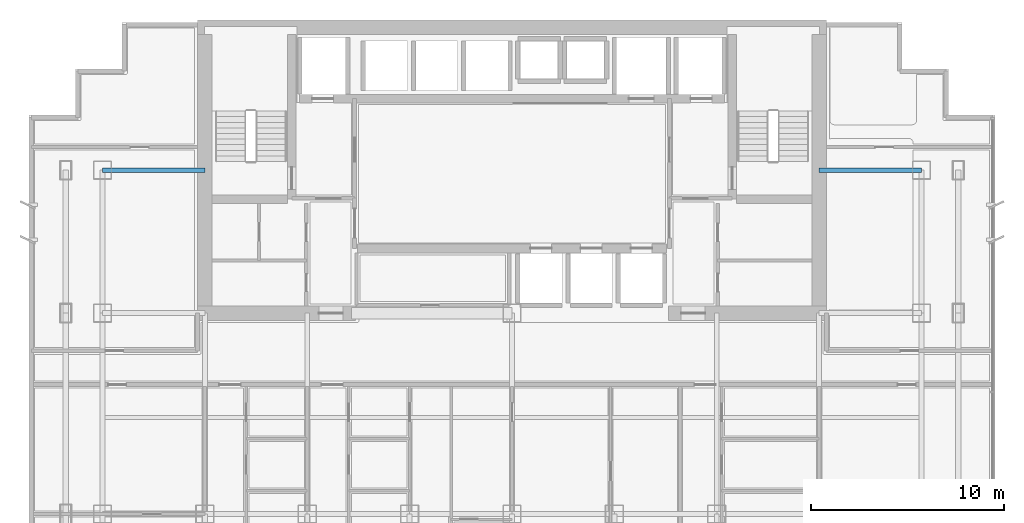
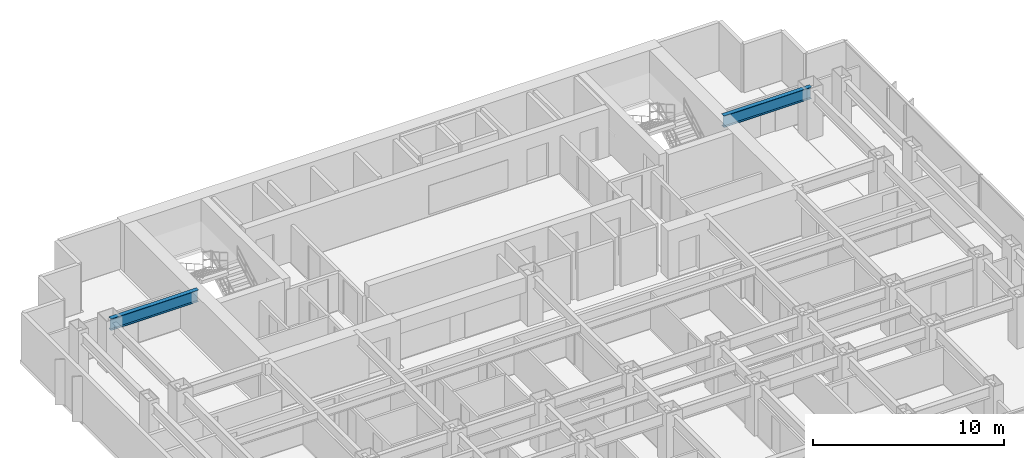
# One storey, part 4 of 12: 2 beams.
"""IFC4 building model written with IfcOpenShell, lengths in metres."""

import ifcopenshell
import ifcopenshell.guid

model = None  # the IFC model being written
_history = None  # IfcOwnerHistory: only IFC2X3 demands one
_inside = {}  # id of a spatial element -> (the spatial element, [elements in it])
_under = {}  # id of a project, library or spatial element -> (it, [spatial elements below it])
_declared = {}  # id of a project -> (the project, [libraries it declares])
_typed = {}  # id of a type object -> (the type object, [elements of that type])
_made_of = {}  # id of a material, layer set ... -> (it, [elements and type objects made of it])


def new_model(schema):
    """Start an empty IFC model of exactly this schema.

    Asked for "IFC4X3", IfcOpenShell would pick the latest addendum, in which some entities
    have other attributes; the version numbers below select the first issue.
    IFC2X3 requires an IfcOwnerHistory on every rooted entity: one is made here for all.
    """
    global model, _history
    if schema == "IFC4X3":
        model = ifcopenshell.file(schema_version=(4, 3, 0, 0))
    else:
        model = ifcopenshell.file(schema=schema)
    _inside.clear()
    _under.clear()
    _declared.clear()
    _typed.clear()
    _made_of.clear()
    _history = None
    if model.schema == "IFC2X3":
        org = make("IfcOrganization", Name="unknown")
        user = make(
            "IfcPersonAndOrganization",
            ThePerson=make("IfcPerson", FamilyName="unknown"),
            TheOrganization=org,
        )
        app = make(
            "IfcApplication",
            ApplicationDeveloper=org,
            Version="unknown",
            ApplicationFullName="unknown",
            ApplicationIdentifier="unknown",
        )
        _history = make(
            "IfcOwnerHistory",
            OwningUser=user,
            OwningApplication=app,
            ChangeAction="ADDED",
            CreationDate=0,
        )
    return model


def make(cls, **values):
    """One entity of the class cls with the attributes given. An attribute that is None is left unset."""
    return model.create_entity(
        cls, **{name: value for name, value in values.items() if value is not None}
    )


def rooted(cls, **values):
    """An entity with a GlobalId (a new one), such as an element, a storey or a relation."""
    return make(cls, GlobalId=ifcopenshell.guid.new(), OwnerHistory=_history, **values)


def si_unit(unit_type, name, prefix=None):
    """IfcSIUnit, for example si_unit("LENGTHUNIT", "METRE", prefix="MILLI")."""
    return make("IfcSIUnit", UnitType=unit_type, Prefix=prefix, Name=name)


def assignment(units):
    """IfcUnitAssignment: the units of a project."""
    return None if units is None else make("IfcUnitAssignment", Units=units)


def point(xyz):
    """IfcCartesianPoint."""
    return None if xyz is None else make("IfcCartesianPoint", Coordinates=xyz)


def direction(xyz):
    """IfcDirection."""
    return None if xyz is None else make("IfcDirection", DirectionRatios=xyz)


def frame(location, z_axis=None, x_axis=None):
    """IfcAxis2Placement3D, a coordinate frame: its origin and axes. An axis left out is left unset."""
    return make(
        "IfcAxis2Placement3D",
        Location=point(location),
        Axis=direction(z_axis),
        RefDirection=direction(x_axis),
    )


def frame_2d(location, x_axis=None):
    """IfcAxis2Placement2D, a coordinate frame in the plane: its origin and x axis."""
    return make(
        "IfcAxis2Placement2D", Location=point(location), RefDirection=direction(x_axis)
    )


def origin():
    """The frame at (0, 0, 0) with its axes left unset."""
    return frame((0.0, 0.0, 0.0))


def origin_2d():
    """The frame at (0, 0) in the plane with its x axis left unset."""
    return frame_2d((0.0, 0.0))


def place(relative_to, where):
    """IfcLocalPlacement: puts the frame where relative to a parent placement (None: the world)."""
    return make(
        "IfcLocalPlacement", PlacementRelTo=relative_to, RelativePlacement=where
    )


def context(
    kind, dimensions, precision=None, world=None, true_north=None, identifier=None
):
    """IfcGeometricRepresentationContext, for example the 3D "Model" context."""
    return make(
        "IfcGeometricRepresentationContext",
        ContextIdentifier=identifier,
        ContextType=kind,
        CoordinateSpaceDimension=dimensions,
        Precision=precision,
        WorldCoordinateSystem=world,
        TrueNorth=true_north,
    )


def subcontext(parent, identifier, kind, view, scale=None):
    """IfcGeometricRepresentationSubContext, for example "Body" below "Model"."""
    return make(
        "IfcGeometricRepresentationSubContext",
        ContextIdentifier=identifier,
        ContextType=kind,
        ParentContext=parent,
        TargetScale=scale,
        TargetView=view,
    )


def project(units=None, contexts=None):
    """IfcProject with its units and contexts."""
    return rooted(
        "IfcProject",
        Name="project",
        RepresentationContexts=contexts,
        UnitsInContext=assignment(units),
    )


def spatial(cls, under=None, at=None, **own):
    """A site, building, storey or space (cls), placed at a placement, below another one or the project."""
    s = rooted(cls, ObjectPlacement=at, **own)
    if under is not None:
        _under.setdefault(under.id(), (under, []))[1].append(s)
    return s


def profile(cls, at=None, kind="AREA", **sizes):
    """A parametric profile (cls). Its sizes go by their IFC names, for example OverallWidth=200.0."""
    return make(cls, ProfileType=kind, Position=at, **sizes)


def i_section(**sizes):
    """IfcIShapeProfileDef."""
    return profile("IfcIShapeProfileDef", **sizes)


def extrude(swept, where, along, depth):
    """IfcExtrudedAreaSolid: the profile swept, set in the frame where, extruded along a direction by depth."""
    return make(
        "IfcExtrudedAreaSolid",
        SweptArea=swept,
        Position=where,
        ExtrudedDirection=direction(along),
        Depth=depth,
    )


def shape(context_of_items, identifier, shape_type, items):
    """IfcShapeRepresentation: the items that make up one representation, for example the "Body"."""
    return make(
        "IfcShapeRepresentation",
        ContextOfItems=context_of_items,
        RepresentationIdentifier=identifier,
        RepresentationType=shape_type,
        Items=items,
    )


def material(Name=None, Category=None):
    """IfcMaterial."""
    return make("IfcMaterial", Name=Name, Category=Category)


def material_profile(
    of_material, cross_section, Name=None, Category=None, Priority=None
):
    """IfcMaterialProfile: a cross section and its material."""
    return make(
        "IfcMaterialProfile",
        Name=Name,
        Material=of_material,
        Profile=cross_section,
        Priority=Priority,
        Category=Category,
    )


def profile_set(profiles, Name=None, composite=None):
    """IfcMaterialProfileSet."""
    return make(
        "IfcMaterialProfileSet",
        Name=Name,
        MaterialProfiles=profiles,
        CompositeProfile=composite,
    )


def made_of(thing, what):
    """Note that an element or type object is made of a material, layer set ...; save() writes the relation."""
    if what is not None:
        _made_of.setdefault(what.id(), (what, []))[1].append(thing)
    return thing


def type_object(cls, material=None, **own):
    """A type object (cls), such as IfcWallType, which elements share."""
    return made_of(rooted(cls, **own), material)


def element(
    cls,
    number,
    at=None,
    inside=None,
    cuts=None,
    type_object=None,
    material=None,
    context=None,
    identifier="Body",
    shape_type=None,
    held_by="IfcProductDefinitionShape",
    body=None,
    shapes=None,
    **own,
):
    """One element of the class cls, such as IfcWall. Its Tag is "e" and its number.

    at: its placement. inside: the storey or other place that contains it. cuts: it is an
    opening in that element (IfcRelVoidsElement). A single representation is given by context,
    identifier, shape_type and body (its items); several are given by shapes. held_by: the class
    of the entity that holds the representations. save() writes the other relations.
    """
    e = rooted(cls, Tag="e%d" % number, ObjectPlacement=at, **own)
    if body is not None:
        shapes = [shape(context, identifier, shape_type, body)]
    if shapes is not None:
        e.Representation = make(held_by, Representations=shapes)
    if inside is not None:
        _inside.setdefault(inside.id(), (inside, []))[1].append(e)
    if cuts is not None:
        rooted(
            "IfcRelVoidsElement", RelatingBuildingElement=cuts, RelatedOpeningElement=e
        )
    if type_object is not None:
        _typed.setdefault(type_object.id(), (type_object, []))[1].append(e)
    return made_of(e, material)


def aggregate(whole, parts):
    """IfcRelAggregates: a whole, such as a stair, and the parts it consists of."""
    return rooted("IfcRelAggregates", RelatingObject=whole, RelatedObjects=parts)


def save(model, path):
    """Write the relations noted so far, then the file.

    IfcRelAggregates (storeys below a building ...), IfcRelContainedInSpatialStructure (elements
    in a storey), IfcRelDefinesByType, IfcRelAssociatesMaterial and IfcRelDeclares: one each for
    every whole, place, type object, material and project.
    """
    for whole, parts in _under.values():
        aggregate(whole, parts)
    for where, things in _inside.values():
        rooted(
            "IfcRelContainedInSpatialStructure",
            RelatedElements=things,
            RelatingStructure=where,
        )
    for kind, things in _typed.values():
        rooted("IfcRelDefinesByType", RelatedObjects=things, RelatingType=kind)
    for what, things in _made_of.values():
        rooted("IfcRelAssociatesMaterial", RelatedObjects=things, RelatingMaterial=what)
    for by, libraries in _declared.values():
        rooted("IfcRelDeclares", RelatingContext=by, RelatedDefinitions=libraries)
    model.write(path)


model = new_model("IFC4")

# Units and contexts
model_context = context("Model", 3, precision=1e-05, world=origin(), true_north=direction((0.0, 1.0)))
body_context = subcontext(model_context, "Body", "Model", "MODEL_VIEW")
ifc_project = project(units=[si_unit("LENGTHUNIT", "METRE"), si_unit("AREAUNIT", "SQUARE_METRE"), si_unit("VOLUMEUNIT", "CUBIC_METRE"), si_unit("PLANEANGLEUNIT", "RADIAN"), si_unit("MASSUNIT", "GRAM", prefix="KILO")], contexts=[model_context])

# Site, building, storey
site_placement = place(None, origin())
site = spatial("IfcSite", under=ifc_project, at=site_placement, CompositionType="ELEMENT")
building_placement = place(site_placement, origin())
building = spatial("IfcBuilding", under=site, at=building_placement, Name="Qianlan Lanfeng Residences", CompositionType="ELEMENT")
storey_placement = place(building_placement, frame((0.0, 0.0, 121.300048828125)))
storey = spatial("IfcBuildingStorey", under=building, at=storey_placement, Name="L33", CompositionType="ELEMENT", Elevation=121.300048828125)

# Beams
ifc_material = material(Name="Steel SN490B", Category="steel")
ifc_material_profile = material_profile(ifc_material, i_section(OverallWidth=0.25, OverallDepth=0.75, WebThickness=0.013916015625, FlangeThickness=0.02490234375, at=origin_2d()), Name="H 750x250x14x25")
ifc_profile_set = profile_set([ifc_material_profile], Name="Steel SN490B")
beam_type = type_object("IfcBeamType", Name="G-850", PredefinedType="BEAM", material=ifc_profile_set)
for number, where, z_axis, x_axis, name in (
    (1, (5.300048828125, 32.60009765625, 2.71484375), (1.0, 0.0, 0.0), (0.0, 1.0, 0.0), "Structural beam G-850"),
    (2, (42.39990234375, 32.60009765625, 2.71484375), (1.0, 0.0, 0.0), (0.0, 1.0, 0.0), "Structural beam G-850"),
):
    element("IfcBeam", number, at=place(storey_placement, frame(where, z_axis=z_axis, x_axis=x_axis)), inside=storey, type_object=beam_type, Name=name, PredefinedType="BEAM", context=body_context, shape_type="SweptSolid", body=[
        extrude(i_section(OverallWidth=0.25, OverallDepth=0.75, WebThickness=0.013916015625, FlangeThickness=0.02490234375, at=origin_2d()), origin(), (0.0, 0.0, 1.0), 5.300048828125),
    ])

save(model, "model.ifc")
